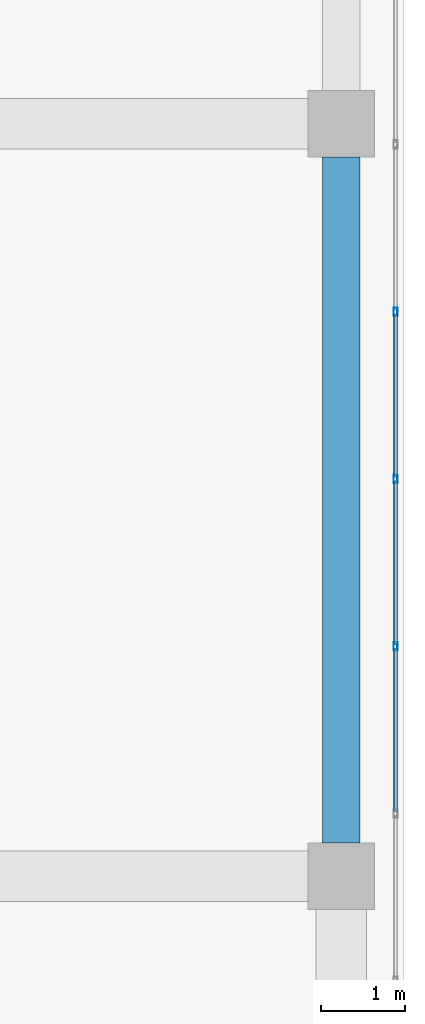
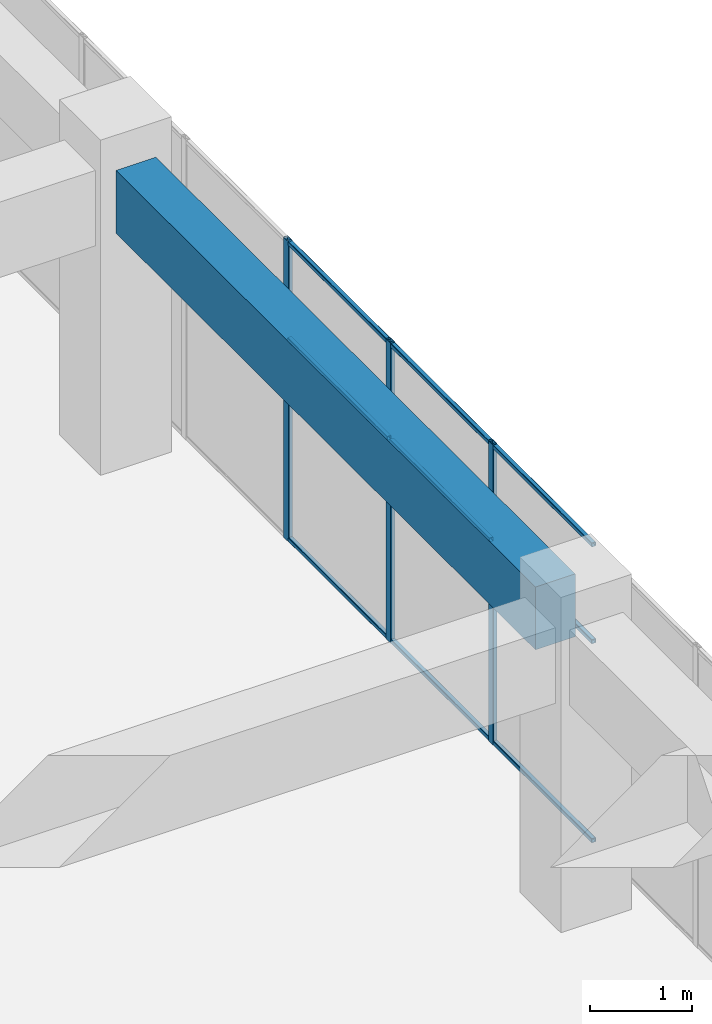
# One storey, part 46 of 72: 12 members, 1 beam, 1 element without a shape of its own.
"""IFC4 building model written with IfcOpenShell, lengths in metres."""

from ifc_helpers import new_model, si_unit, direction, frame, origin, origin_2d, place, context, subcontext, project, spatial, rectangle, hollow_rectangle, extrude, material, layer, layer_set, material_profile, profile_set, type_object, element, aggregate, save


model = new_model("IFC4")

# Units and contexts
model_context = context("Model", 3, precision=1e-05, world=origin(), true_north=direction((0.0, 1.0)))
body_context = subcontext(model_context, "Body", "Model", "MODEL_VIEW")
ifc_project = project(units=[si_unit("LENGTHUNIT", "METRE"), si_unit("AREAUNIT", "SQUARE_METRE"), si_unit("VOLUMEUNIT", "CUBIC_METRE"), si_unit("PLANEANGLEUNIT", "RADIAN"), si_unit("MASSUNIT", "GRAM", prefix="KILO")], contexts=[model_context])

# Site, building, storey
site_placement = place(None, origin())
site = spatial("IfcSite", under=ifc_project, at=site_placement, CompositionType="ELEMENT")
building_placement = place(site_placement, origin())
building = spatial("IfcBuilding", under=site, at=building_placement, Name="Tuart Plaza Theatre", CompositionType="ELEMENT")
storey_placement = place(building_placement, frame((0.0, 0.0, 13.5)))
storey = spatial("IfcBuildingStorey", under=building, at=storey_placement, Name="L03", CompositionType="ELEMENT", Elevation=13.5)

# Beam
ifc_material_1 = material(Name="Concrete N40 (40 MPa)", Category="concrete")
ifc_material_profile_1 = material_profile(ifc_material_1, rectangle(XDim=0.449951171875, YDim=0.75, at=origin_2d()), Name="BEAM 450x750 Concrete N40 (40 MPa)")
ifc_profile_set_1 = profile_set([ifc_material_profile_1], Name="Concrete N40 (40 MPa)")
beam_type = type_object("IfcBeamType", Name="BEAM 450x750 Concrete N40 (40 MPa)", PredefinedType="BEAM", material=ifc_profile_set_1)
beam_placement = place(storey_placement, frame((150.0, 56.39990234375, 3.205078125), z_axis=(0.0, 1.0, 0.0), x_axis=(-1.0, 0.0, 0.0)))
element("IfcBeam", 1, at=beam_placement, inside=storey, type_object=beam_type, Name="RB198", PredefinedType="BEAM", context=body_context, shape_type="SweptSolid", body=[
    extrude(rectangle(XDim=0.449951171875, YDim=0.75, at=origin_2d()), origin(), (0.0, 0.0, 1.0), 8.2001953125),
])

# Curtain wall, members
ifc_material_2 = material(Name="Aluminium and glass", Category="aluminium")
ifc_layer = layer(ifc_material_2, 0.10009765625)
ifc_layer_set = layer_set([ifc_layer], Name="CURTAIN WALL 2000 module")
curtain_wall_type = type_object("IfcCurtainWallType", Name="CURTAIN WALL 2000 module", PredefinedType="NOTDEFINED", material=ifc_layer_set)
curtain_wall_placement = place(storey_placement, origin())
curtain_wall = element("IfcCurtainWall", 2, at=curtain_wall_placement, inside=storey, type_object=curtain_wall_type, Name="CW69", PredefinedType="NOTDEFINED")
ifc_material_3 = material(Name="Aluminium 6063-T5", Category="aluminium")
ifc_material_profile_2 = material_profile(ifc_material_3, hollow_rectangle(XDim=0.050048828125, YDim=0.10009765625, WallThickness=0.00390625, InnerFilletRadius=0.00390625, OuterFilletRadius=0.008056640625, at=origin_2d()), Name="RHS 100x50x4")
ifc_profile_set_2 = profile_set([ifc_material_profile_2], Name="Aluminium 6063-T5")
member_type_1 = type_object("IfcMemberType", Name="MULLION RHS 100x50x4", PredefinedType="MULLION", material=ifc_profile_set_2)
member_1_placement = place(storey_placement, frame((150.64990234375, 58.75, 0.0), z_axis=(0.0, 0.0, 1.0), x_axis=(-1.0, 0.0, 0.0)))
member_1 = element("IfcMember", 3, at=member_1_placement, type_object=member_type_1, Name="CW69 mullion 5", PredefinedType="MULLION", context=body_context, shape_type="SweptSolid", body=[
    extrude(hollow_rectangle(XDim=0.050048828125, YDim=0.10009765625, WallThickness=0.00390625, InnerFilletRadius=0.00390625, OuterFilletRadius=0.008056640625, at=origin_2d()), origin(), (0.0, 0.0, 1.0), 3.580078125),
])
member_2_placement = place(storey_placement, frame((150.64990234375, 60.75, 0.0), z_axis=(0.0, 0.0, 1.0), x_axis=(-1.0, 0.0, 0.0)))
member_2 = element("IfcMember", 4, at=member_2_placement, type_object=member_type_1, Name="CW69 mullion 6", PredefinedType="MULLION", context=body_context, shape_type="SweptSolid", body=[
    extrude(hollow_rectangle(XDim=0.050048828125, YDim=0.10009765625, WallThickness=0.00390625, InnerFilletRadius=0.00390625, OuterFilletRadius=0.008056640625, at=origin_2d()), origin(), (0.0, 0.0, 1.0), 3.580078125),
])
member_3_placement = place(storey_placement, frame((150.64990234375, 62.75, 0.0), z_axis=(0.0, 0.0, 1.0), x_axis=(-1.0, 0.0, 0.0)))
member_3 = element("IfcMember", 5, at=member_3_placement, type_object=member_type_1, Name="CW69 mullion 7", PredefinedType="MULLION", context=body_context, shape_type="SweptSolid", body=[
    extrude(hollow_rectangle(XDim=0.050048828125, YDim=0.10009765625, WallThickness=0.00390625, InnerFilletRadius=0.00390625, OuterFilletRadius=0.008056640625, at=origin_2d()), origin(), (0.0, 0.0, 1.0), 3.580078125),
])
ifc_material_4 = material(Name="Aluminium 6063-T5", Category="aluminium")
ifc_material_profile_3 = material_profile(ifc_material_4, hollow_rectangle(XDim=0.050048828125, YDim=0.050048828125, WallThickness=0.00390625, InnerFilletRadius=0.00390625, OuterFilletRadius=0.008056640625, at=origin_2d()), Name="RHS 50x50x4")
ifc_profile_set_3 = profile_set([ifc_material_profile_3], Name="Aluminium 6063-T5")
member_type_2 = type_object("IfcMemberType", Name="TRANSOM RHS 50x50x4", PredefinedType="USERDEFINED", material=ifc_profile_set_3)
member_4_placement = place(storey_placement, frame((150.64990234375, 56.77490234375, 0.02490234375), z_axis=(0.0, 1.0, 0.0), x_axis=(-1.0, 0.0, 0.0)))
member_4 = element("IfcMember", 6, at=member_4_placement, type_object=member_type_2, Name="CW69 transom 4.1", ObjectType="TRANSOM", PredefinedType="USERDEFINED", context=body_context, shape_type="SweptSolid", body=[
    extrude(hollow_rectangle(XDim=0.050048828125, YDim=0.050048828125, WallThickness=0.00390625, InnerFilletRadius=0.00390625, OuterFilletRadius=0.008056640625, at=origin_2d()), origin(), (0.0, 0.0, 1.0), 1.9501953125),
])
member_5_placement = place(storey_placement, frame((150.64990234375, 56.77490234375, 2.39990234375), z_axis=(0.0, 1.0, 0.0), x_axis=(-1.0, 0.0, 0.0)))
member_5 = element("IfcMember", 7, at=member_5_placement, type_object=member_type_2, Name="CW69 transom 4.2", ObjectType="TRANSOM", PredefinedType="USERDEFINED", context=body_context, shape_type="SweptSolid", body=[
    extrude(hollow_rectangle(XDim=0.050048828125, YDim=0.050048828125, WallThickness=0.00390625, InnerFilletRadius=0.00390625, OuterFilletRadius=0.008056640625, at=origin_2d()), origin(), (0.0, 0.0, 1.0), 1.9501953125),
])
member_6_placement = place(storey_placement, frame((150.64990234375, 56.77490234375, 3.554931640625), z_axis=(0.0, 1.0, 0.0), x_axis=(-1.0, 0.0, 0.0)))
member_6 = element("IfcMember", 8, at=member_6_placement, type_object=member_type_2, Name="CW69 transom 4.3", ObjectType="TRANSOM", PredefinedType="USERDEFINED", context=body_context, shape_type="SweptSolid", body=[
    extrude(hollow_rectangle(XDim=0.050048828125, YDim=0.050048828125, WallThickness=0.00390625, InnerFilletRadius=0.00390625, OuterFilletRadius=0.008056640625, at=origin_2d()), origin(), (0.0, 0.0, 1.0), 1.9501953125),
])
member_7_placement = place(storey_placement, frame((150.64990234375, 58.77490234375, 0.02490234375), z_axis=(0.0, 1.0, 0.0), x_axis=(-1.0, 0.0, 0.0)))
member_7 = element("IfcMember", 9, at=member_7_placement, type_object=member_type_2, Name="CW69 transom 5.1", ObjectType="TRANSOM", PredefinedType="USERDEFINED", context=body_context, shape_type="SweptSolid", body=[
    extrude(hollow_rectangle(XDim=0.050048828125, YDim=0.050048828125, WallThickness=0.00390625, InnerFilletRadius=0.00390625, OuterFilletRadius=0.008056640625, at=origin_2d()), origin(), (0.0, 0.0, 1.0), 1.9501953125),
])
member_8_placement = place(storey_placement, frame((150.64990234375, 58.77490234375, 2.39990234375), z_axis=(0.0, 1.0, 0.0), x_axis=(-1.0, 0.0, 0.0)))
member_8 = element("IfcMember", 10, at=member_8_placement, type_object=member_type_2, Name="CW69 transom 5.2", ObjectType="TRANSOM", PredefinedType="USERDEFINED", context=body_context, shape_type="SweptSolid", body=[
    extrude(hollow_rectangle(XDim=0.050048828125, YDim=0.050048828125, WallThickness=0.00390625, InnerFilletRadius=0.00390625, OuterFilletRadius=0.008056640625, at=origin_2d()), origin(), (0.0, 0.0, 1.0), 1.9501953125),
])
member_9_placement = place(storey_placement, frame((150.64990234375, 58.77490234375, 3.554931640625), z_axis=(0.0, 1.0, 0.0), x_axis=(-1.0, 0.0, 0.0)))
member_9 = element("IfcMember", 11, at=member_9_placement, type_object=member_type_2, Name="CW69 transom 5.3", ObjectType="TRANSOM", PredefinedType="USERDEFINED", context=body_context, shape_type="SweptSolid", body=[
    extrude(hollow_rectangle(XDim=0.050048828125, YDim=0.050048828125, WallThickness=0.00390625, InnerFilletRadius=0.00390625, OuterFilletRadius=0.008056640625, at=origin_2d()), origin(), (0.0, 0.0, 1.0), 1.9501953125),
])
member_10_placement = place(storey_placement, frame((150.64990234375, 60.77490234375, 0.02490234375), z_axis=(0.0, 1.0, 0.0), x_axis=(-1.0, 0.0, 0.0)))
member_10 = element("IfcMember", 12, at=member_10_placement, type_object=member_type_2, Name="CW69 transom 6.1", ObjectType="TRANSOM", PredefinedType="USERDEFINED", context=body_context, shape_type="SweptSolid", body=[
    extrude(hollow_rectangle(XDim=0.050048828125, YDim=0.050048828125, WallThickness=0.00390625, InnerFilletRadius=0.00390625, OuterFilletRadius=0.008056640625, at=origin_2d()), origin(), (0.0, 0.0, 1.0), 1.9501953125),
])
member_11_placement = place(storey_placement, frame((150.64990234375, 60.77490234375, 2.39990234375), z_axis=(0.0, 1.0, 0.0), x_axis=(-1.0, 0.0, 0.0)))
member_11 = element("IfcMember", 13, at=member_11_placement, type_object=member_type_2, Name="CW69 transom 6.2", ObjectType="TRANSOM", PredefinedType="USERDEFINED", context=body_context, shape_type="SweptSolid", body=[
    extrude(hollow_rectangle(XDim=0.050048828125, YDim=0.050048828125, WallThickness=0.00390625, InnerFilletRadius=0.00390625, OuterFilletRadius=0.008056640625, at=origin_2d()), origin(), (0.0, 0.0, 1.0), 1.9501953125),
])
member_12_placement = place(storey_placement, frame((150.64990234375, 60.77490234375, 3.554931640625), z_axis=(0.0, 1.0, 0.0), x_axis=(-1.0, 0.0, 0.0)))
member_12 = element("IfcMember", 14, at=member_12_placement, type_object=member_type_2, Name="CW69 transom 6.3", ObjectType="TRANSOM", PredefinedType="USERDEFINED", context=body_context, shape_type="SweptSolid", body=[
    extrude(hollow_rectangle(XDim=0.050048828125, YDim=0.050048828125, WallThickness=0.00390625, InnerFilletRadius=0.00390625, OuterFilletRadius=0.008056640625, at=origin_2d()), origin(), (0.0, 0.0, 1.0), 1.9501953125),
])
aggregate(curtain_wall, [member_1, member_2, member_3, member_4, member_5, member_6, member_7, member_8, member_9, member_10, member_11, member_12])

save(model, "model.ifc")
